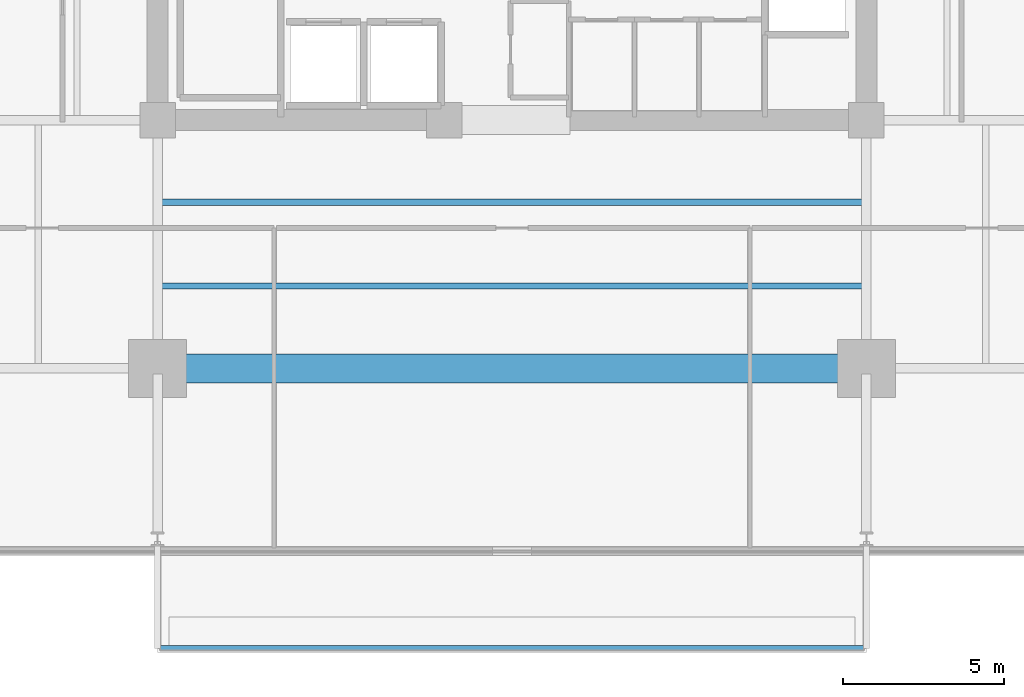
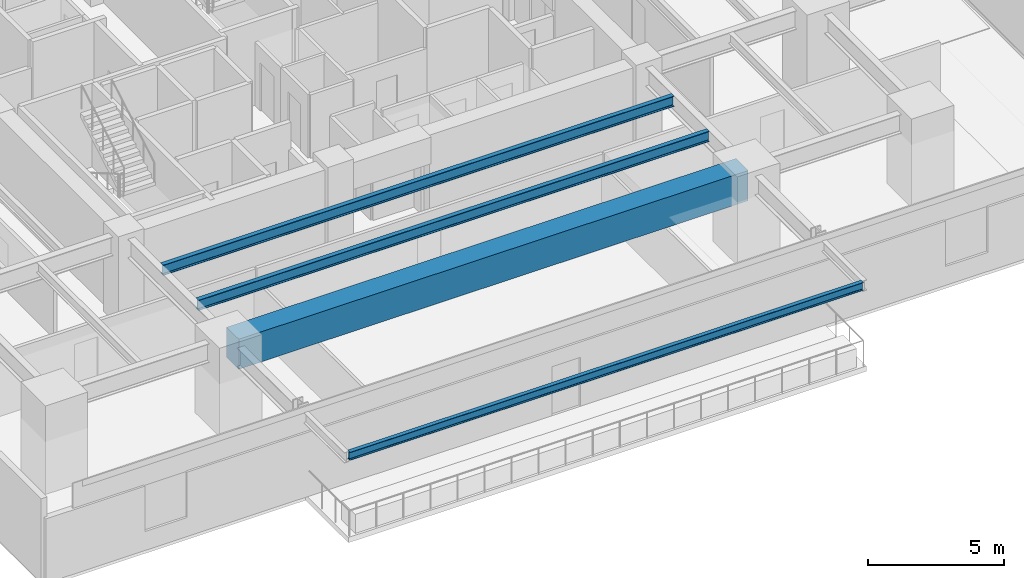
# One storey, part 4 of 23: 4 beams.
"""IFC4 building model written with IfcOpenShell, lengths in metres."""

from ifc_helpers import new_model, si_unit, direction, frame, origin, origin_2d, place, context, subcontext, project, spatial, rectangle, i_section, extrude, material, material_profile, profile_set, type_object, element, save


model = new_model("IFC4")

# Units and contexts
model_context = context("Model", 3, precision=1e-05, world=origin(), true_north=direction((0.0, 1.0)))
body_context = subcontext(model_context, "Body", "Model", "MODEL_VIEW")
ifc_project = project(units=[si_unit("LENGTHUNIT", "METRE"), si_unit("AREAUNIT", "SQUARE_METRE"), si_unit("VOLUMEUNIT", "CUBIC_METRE"), si_unit("PLANEANGLEUNIT", "RADIAN"), si_unit("MASSUNIT", "GRAM", prefix="KILO")], contexts=[model_context])

# Site, building, storey
site_placement = place(None, origin())
site = spatial("IfcSite", under=ifc_project, at=site_placement, CompositionType="ELEMENT")
building_placement = place(site_placement, origin())
building = spatial("IfcBuilding", under=site, at=building_placement, Name="Kovane Verandah Tower", CompositionType="ELEMENT")
storey_placement = place(building_placement, frame((0.0, 0.0, 63.60009765625)))
storey = spatial("IfcBuildingStorey", under=building, at=storey_placement, Name="L14", CompositionType="ELEMENT", Elevation=63.60009765625)

# Beams
ifc_material_1 = material(Name="Concrete C80/95", Category="concrete")
ifc_material_profile_1 = material_profile(ifc_material_1, rectangle(XDim=0.89990234375, YDim=1.35009765625, at=origin_2d()), Name="RCB900x1350")
ifc_profile_set_1 = profile_set([ifc_material_profile_1], Name="Concrete C80/95")
beam_type_1 = type_object("IfcBeamType", Name="BM-TR-900x1350", PredefinedType="BEAM", material=ifc_profile_set_1)
beam_1_placement = place(storey_placement, frame((29.179931640625, 10.800048828125, 3.0849609375), z_axis=(1.0, 0.0, 0.0), x_axis=(0.0, 1.0, 0.0)))
element("IfcBeam", 1, at=beam_1_placement, inside=storey, type_object=beam_type_1, Name="L14 Primary Tower Girder G-RS2", PredefinedType="BEAM", context=body_context, shape_type="SweptSolid", body=[
    extrude(rectangle(XDim=0.89990234375, YDim=1.35009765625, at=origin_2d()), origin(), (0.0, 0.0, 1.0), 21.64013671875),
])
ifc_material_2 = material(Name="Steel S355", Category="steel")
ifc_material_profile_2 = material_profile(ifc_material_2, i_section(OverallWidth=0.19287109375, OverallDepth=0.46728515625, WebThickness=0.011474609375, FlangeThickness=0.01953125, FilletRadius=0.01025390625, at=origin_2d()), Name="UB457x191x98")
ifc_profile_set_2 = profile_set([ifc_material_profile_2], Name="Steel S355")
beam_type_2 = type_object("IfcBeamType", Name="JST-UB457x98", PredefinedType="JOIST", material=ifc_profile_set_2)
for number, where, z_axis, x_axis, name in (
    (2, (29.14501953125, 13.35009765625, 3.5263671875), (1.0, 0.0, 0.0), (0.0, 1.0, 0.0), "L14 Secondary Composite Joist J-S1"),
    (3, (29.14501953125, 15.949951171875, 3.5263671875), (1.0, 0.0, 0.0), (0.0, 1.0, 0.0), "L14 Secondary Composite Joist J-S2"),
):
    element("IfcBeam", number, at=place(storey_placement, frame(where, z_axis=z_axis, x_axis=x_axis)), inside=storey, type_object=beam_type_2, Name=name, PredefinedType="JOIST", context=body_context, shape_type="SweptSolid", body=[
        extrude(i_section(OverallWidth=0.19287109375, OverallDepth=0.46728515625, WebThickness=0.011474609375, FlangeThickness=0.01953125, FilletRadius=0.01025390625, at=origin_2d()), origin(), (0.0, 0.0, 1.0), 21.7099609375),
    ])
ifc_material_profile_3 = material_profile(ifc_material_2, i_section(OverallWidth=0.173095703125, OverallDepth=0.36328125, WebThickness=0.009033203125, FlangeThickness=0.015625, FilletRadius=0.01025390625, at=origin_2d()), Name="UB356x171x67")
ifc_profile_set_3 = profile_set([ifc_material_profile_3], Name="Steel S355")
beam_type_3 = type_object("IfcBeamType", Name="SPD-UB356x67", PredefinedType="USERDEFINED", material=ifc_profile_set_3)
beam_2_placement = place(storey_placement, frame((29.094482421875, 2.109130859375, 3.578125), z_axis=(1.0, 0.0, 0.0), x_axis=(0.0, 1.0, 0.0)))
element("IfcBeam", 4, at=beam_2_placement, inside=storey, type_object=beam_type_3, Name="L14 South Planter Edge Spandrel", ObjectType="SPANDREL", PredefinedType="USERDEFINED", context=body_context, shape_type="SweptSolid", body=[
    extrude(i_section(OverallWidth=0.173095703125, OverallDepth=0.36328125, WebThickness=0.009033203125, FlangeThickness=0.015625, FilletRadius=0.01025390625, at=origin_2d()), origin(), (0.0, 0.0, 1.0), 21.81103515625),
])

save(model, "model.ifc")
